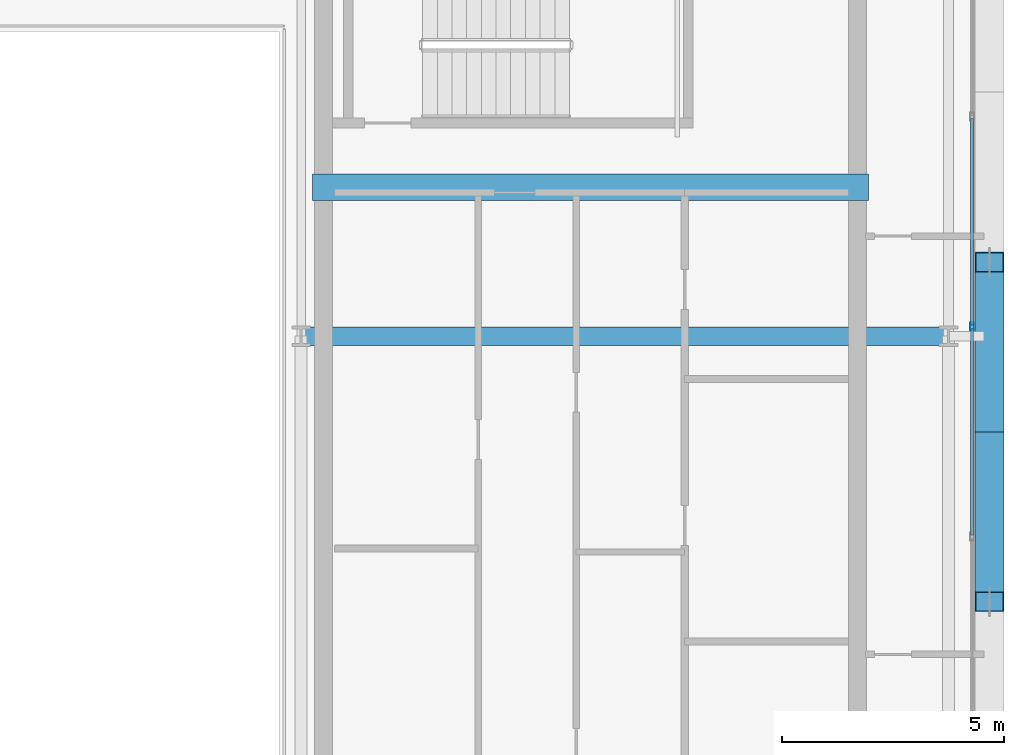
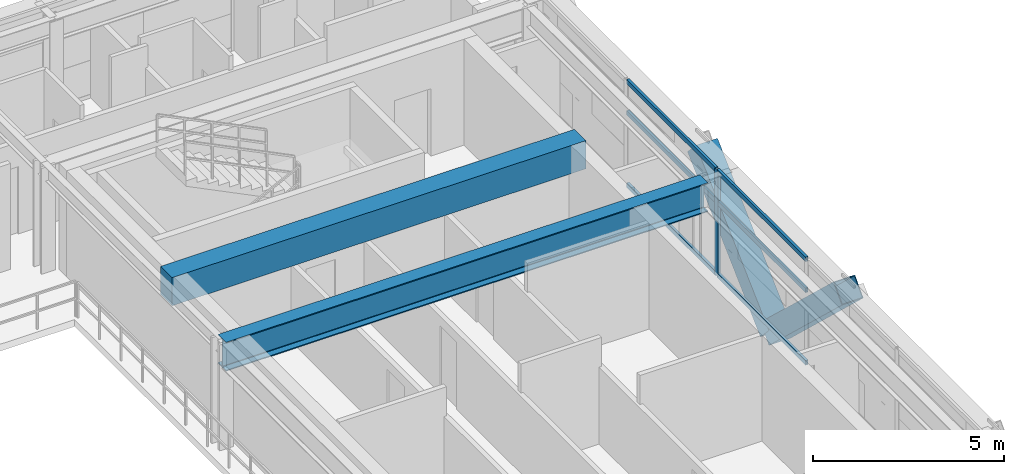
# One storey, part 11 of 28: 9 members, 2 beams, 1 element without a shape of its own.
"""IFC4 building model written with IfcOpenShell, lengths in metres."""

from ifc_helpers import new_model, si_unit, direction, frame, origin, origin_2d, place, context, subcontext, project, spatial, rectangle, hollow_rectangle, i_section, extrude, source, transform, mapped, material, layer, layer_set, material_profile, profile_set, type_object, element, aggregate, save


model = new_model("IFC4")

# Units and contexts
model_context = context("Model", 3, precision=1e-05, world=origin(), true_north=direction((0.0, 1.0)))
body_context = subcontext(model_context, "Body", "Model", "MODEL_VIEW")
ifc_project = project(units=[si_unit("LENGTHUNIT", "METRE"), si_unit("AREAUNIT", "SQUARE_METRE"), si_unit("VOLUMEUNIT", "CUBIC_METRE"), si_unit("PLANEANGLEUNIT", "RADIAN"), si_unit("MASSUNIT", "GRAM", prefix="KILO")], contexts=[model_context])

# Site, building, storey
site_placement = place(None, origin())
site = spatial("IfcSite", under=ifc_project, at=site_placement, CompositionType="ELEMENT")
building_placement = place(site_placement, origin())
building = spatial("IfcBuilding", under=site, at=building_placement, Name="Ocotamira Hotel", CompositionType="ELEMENT")
storey_placement = place(building_placement, frame((0.0, 0.0, 240.0)))
storey = spatial("IfcBuildingStorey", under=building, at=storey_placement, Name="L60", CompositionType="ELEMENT", Elevation=240.0)

# Beams
ifc_material_1 = material(Name="Concrete C50/60", Category="concrete")
ifc_material_profile_1 = material_profile(ifc_material_1, rectangle(XDim=0.60009765625, YDim=0.89990234375, at=origin_2d()), Name="RC600X900")
ifc_profile_set_1 = profile_set([ifc_material_profile_1], Name="Concrete C50/60")
beam_type_1 = type_object("IfcBeamType", Name="BM-LINK-RC600", PredefinedType="LINTEL", material=ifc_profile_set_1)
shared_shape_1 = source(origin(), body_context, "Body", "SweptSolid", [
    extrude(rectangle(XDim=0.60009765625, YDim=0.89990234375, at=origin_2d()), origin(), (0.0, 0.0, 1.0), 12.5),
])
beam_1_placement = place(storey_placement, frame((40.75, 31.5, 2.929931640625), z_axis=(1.0, 0.0, 0.0), x_axis=(0.0, 1.0, 0.0)))
element("IfcBeam", 1, at=beam_1_placement, inside=storey, type_object=beam_type_1, Name="L60 East Core Coupling Beam", PredefinedType="LINTEL", context=body_context, shape_type="MappedRepresentation", body=[
    mapped(shared_shape_1, transform((0.0, 0.0, 0.0), scale=1.0)),
])
ifc_material_2 = material(Name="Steel ASTM A992 Grade 50", Category="steel")
ifc_material_profile_2 = material_profile(ifc_material_2, i_section(OverallWidth=0.41796875, OverallDepth=0.927001953125, WebThickness=0.019287109375, FlangeThickness=0.031982421875, FilletRadius=0.02392578125, at=origin_2d()), Name="W36X231")
ifc_profile_set_2 = profile_set([ifc_material_profile_2], Name="Steel ASTM A992 Grade 50")
beam_type_2 = type_object("IfcBeamType", Name="BM-GIRD-W36X231", PredefinedType="BEAM", material=ifc_profile_set_2)
shared_shape_2 = source(origin(), body_context, "Body", "SweptSolid", [
    extrude(i_section(OverallWidth=0.41796875, OverallDepth=0.927001953125, WebThickness=0.019287109375, FlangeThickness=0.031982421875, FilletRadius=0.02392578125, at=origin_2d()), origin(), (0.0, 0.0, 1.0), 14.550048828125),
])
beam_2_placement = place(storey_placement, frame((40.5, 28.14990234375, 2.91650390625), z_axis=(1.0, 0.0, 0.0), x_axis=(0.0, 1.0, 0.0)))
element("IfcBeam", 2, at=beam_2_placement, inside=storey, type_object=beam_type_2, Name="L60 Girder Y28.15 X40.5-55.05", PredefinedType="BEAM", context=body_context, shape_type="MappedRepresentation", body=[
    mapped(shared_shape_2, transform((0.0, 0.0, 0.0), scale=1.0)),
])

# Members
ifc_material_3 = material(Name="Pale-metal coated steel ASTM A913 Grade 65", Category="steel")
ifc_material_profile_3 = material_profile(ifc_material_3, hollow_rectangle(XDim=0.64990234375, YDim=0.64990234375, WallThickness=0.02197265625, at=origin_2d()), Name="BOX650X650X22")
ifc_profile_set_3 = profile_set([ifc_material_profile_3], Name="Pale-metal coated steel ASTM A913 Grade 65")
member_type_1 = type_object("IfcMemberType", Name="MEM-EXO-BOX650", PredefinedType="BRACE", material=ifc_profile_set_3)
shared_shape_3 = source(origin(), body_context, "Body", "SweptSolid", [
    extrude(hollow_rectangle(XDim=0.64990234375, YDim=0.64990234375, WallThickness=0.02197265625, at=origin_2d()), origin(), (0.0, 0.0, 1.0), 5.24658203125),
])
for number, where, z_axis, x_axis, name in (
    (3, (55.969970703125, 26.0, -0.469970703125), (0.0, -0.72746596067, 0.686143772154), (1.0, 0.0, 0.0), "L60 Exoskeleton Diagrid E1.1"),
    (4, (55.969970703125, 26.0, -0.469970703125), (0.0, 0.72746596067, 0.686143772154), (-1.0, 0.0, 0.0), "L60 Exoskeleton Diagrid E1.2"),
):
    element("IfcMember", number, at=place(storey_placement, frame(where, z_axis=z_axis, x_axis=x_axis)), inside=storey, type_object=member_type_1, Name=name, PredefinedType="BRACE", context=body_context, shape_type="MappedRepresentation", body=[
        mapped(shared_shape_3, transform((0.0, 0.0, 0.0), scale=1.0)),
    ])

# Curtain wall, members
ifc_material_4 = material(Name="Anodised pale-metal aluminium and solar glass", Category="aluminium")
ifc_layer = layer(ifc_material_4, 0.239990234375)
ifc_layer_set = layer_set([ifc_layer], Name="Anodised pale-metal aluminium and solar glass")
curtain_wall_type = type_object("IfcCurtainWallType", Name="CW-SYS5-SKY", PredefinedType="NOTDEFINED", material=ifc_layer_set)
curtain_wall_placement = place(storey_placement, origin())
curtain_wall = element("IfcCurtainWall", 5, at=curtain_wall_placement, inside=storey, type_object=curtain_wall_type, Name="L60 Curtain Wall CW-5 CW-L60-E", PredefinedType="NOTDEFINED")
ifc_material_5 = material(Name="Anodised pale-metal aluminium 6063-T6", Category="aluminium")
ifc_material_profile_4 = material_profile(ifc_material_5, hollow_rectangle(XDim=0.080078125, YDim=0.179931640625, WallThickness=0.006103515625, at=origin_2d()), Name="HSS180X80X6")
ifc_profile_set_4 = profile_set([ifc_material_profile_4], Name="Anodised pale-metal aluminium 6063-T6")
member_type_2 = type_object("IfcMemberType", Name="CWM-180X75", PredefinedType="MULLION", material=ifc_profile_set_4)
shared_shape_4 = source(origin(), body_context, "Body", "SweptSolid", [
    extrude(hollow_rectangle(XDim=0.080078125, YDim=0.179931640625, WallThickness=0.006103515625, at=origin_2d()), origin(), (0.0, 0.0, 1.0), 3.3798828125),
])
member_1_placement = place(storey_placement, frame((55.580078125, 28.360107421875, 0.0), z_axis=(0.0, 0.0, 1.0), x_axis=(-1.0, 0.0, 0.0)))
member_1 = element("IfcMember", 6, at=member_1_placement, type_object=member_type_2, Name="CW-5 mullion 4", PredefinedType="MULLION", context=body_context, shape_type="MappedRepresentation", body=[
    mapped(shared_shape_4, transform((0.0, 0.0, 0.0), scale=1.0)),
])
ifc_material_profile_5 = material_profile(ifc_material_5, hollow_rectangle(XDim=0.074951171875, YDim=0.14990234375, WallThickness=0.006103515625, at=origin_2d()), Name="HSS150X75X6")
ifc_profile_set_5 = profile_set([ifc_material_profile_5], Name="Anodised pale-metal aluminium 6063-T6")
member_type_3 = type_object("IfcMemberType", Name="CWT-150X75", PredefinedType="USERDEFINED", material=ifc_profile_set_5)
shared_shape_5 = source(origin(), body_context, "Body", "SweptSolid", [
    extrude(hollow_rectangle(XDim=0.074951171875, YDim=0.14990234375, WallThickness=0.006103515625, at=origin_2d()), origin(), (0.0, 0.0, 1.0), 4.64013671875),
])
member_2_placement = place(storey_placement, frame((55.580078125, 23.679931640625, 0.03759765625), z_axis=(0.0, 1.0, 0.0), x_axis=(-1.0, 0.0, 0.0)))
member_2 = element("IfcMember", 7, at=member_2_placement, type_object=member_type_3, Name="CW-5 transom 3.1", ObjectType="TRANSOM", PredefinedType="USERDEFINED", context=body_context, shape_type="MappedRepresentation", body=[
    mapped(shared_shape_5, transform((0.0, 0.0, 0.0), scale=1.0)),
])
member_3_placement = place(storey_placement, frame((55.580078125, 23.679931640625, 2.35009765625), z_axis=(0.0, 1.0, 0.0), x_axis=(-1.0, 0.0, 0.0)))
member_3 = element("IfcMember", 8, at=member_3_placement, type_object=member_type_3, Name="CW-5 transom 3.2", ObjectType="TRANSOM", PredefinedType="USERDEFINED", context=body_context, shape_type="MappedRepresentation", body=[
    mapped(shared_shape_5, transform((0.0, 0.0, 0.0), scale=1.0)),
])
member_4_placement = place(storey_placement, frame((55.580078125, 23.679931640625, 3.342529296875), z_axis=(0.0, 1.0, 0.0), x_axis=(-1.0, 0.0, 0.0)))
member_4 = element("IfcMember", 9, at=member_4_placement, type_object=member_type_3, Name="CW-5 transom 3.3", ObjectType="TRANSOM", PredefinedType="USERDEFINED", context=body_context, shape_type="MappedRepresentation", body=[
    mapped(shared_shape_5, transform((0.0, 0.0, 0.0), scale=1.0)),
])
member_5_placement = place(storey_placement, frame((55.580078125, 28.39990234375, 0.03759765625), z_axis=(0.0, 1.0, 0.0), x_axis=(-1.0, 0.0, 0.0)))
member_5 = element("IfcMember", 10, at=member_5_placement, type_object=member_type_3, Name="CW-5 transom 4.1", ObjectType="TRANSOM", PredefinedType="USERDEFINED", context=body_context, shape_type="MappedRepresentation", body=[
    mapped(shared_shape_5, transform((0.0, 0.0, 0.0), scale=1.0)),
])
member_6_placement = place(storey_placement, frame((55.580078125, 28.39990234375, 2.35009765625), z_axis=(0.0, 1.0, 0.0), x_axis=(-1.0, 0.0, 0.0)))
member_6 = element("IfcMember", 11, at=member_6_placement, type_object=member_type_3, Name="CW-5 transom 4.2", ObjectType="TRANSOM", PredefinedType="USERDEFINED", context=body_context, shape_type="MappedRepresentation", body=[
    mapped(shared_shape_5, transform((0.0, 0.0, 0.0), scale=1.0)),
])
member_7_placement = place(storey_placement, frame((55.580078125, 28.39990234375, 3.342529296875), z_axis=(0.0, 1.0, 0.0), x_axis=(-1.0, 0.0, 0.0)))
member_7 = element("IfcMember", 12, at=member_7_placement, type_object=member_type_3, Name="CW-5 transom 4.3", ObjectType="TRANSOM", PredefinedType="USERDEFINED", context=body_context, shape_type="MappedRepresentation", body=[
    mapped(shared_shape_5, transform((0.0, 0.0, 0.0), scale=1.0)),
])
aggregate(curtain_wall, [member_1, member_2, member_3, member_4, member_5, member_6, member_7])

save(model, "model.ifc")
